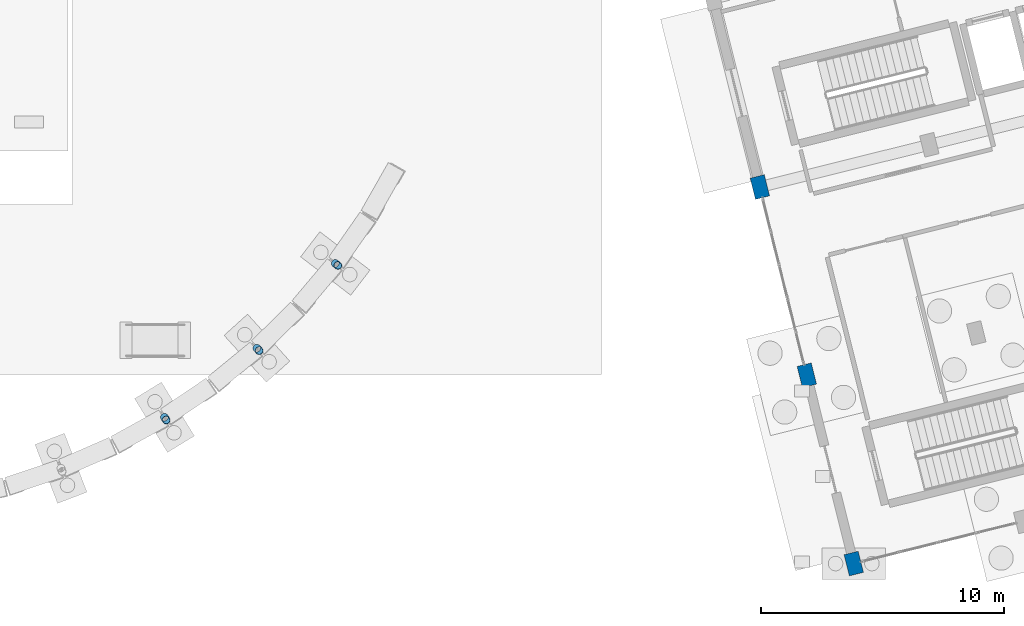
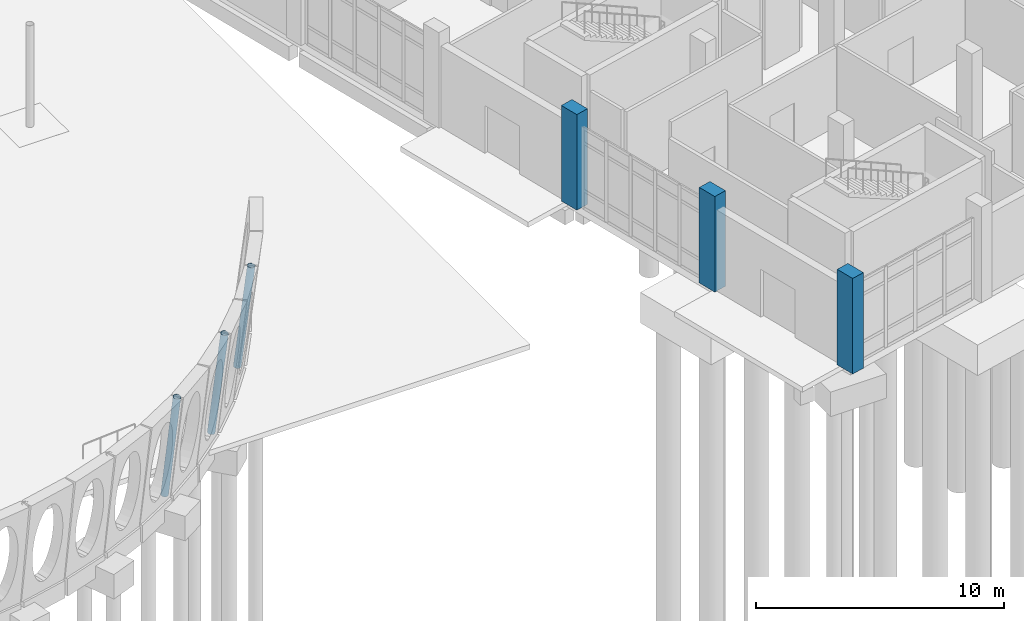
# One storey, part 13 of 173: 6 columns.
"""IFC4 building model written with IfcOpenShell, lengths in metres."""

from ifc_helpers import new_model, si_unit, direction, frame, origin, origin_2d, place, context, subcontext, project, spatial, rectangle, hollow_circle, extrude, material, material_profile, profile_set, type_object, element, save


model = new_model("IFC4")

# Units and contexts
model_context = context("Model", 3, precision=1e-05, world=origin(), true_north=direction((0.0, 1.0)))
body_context = subcontext(model_context, "Body", "Model", "MODEL_VIEW")
ifc_project = project(units=[si_unit("LENGTHUNIT", "METRE"), si_unit("AREAUNIT", "SQUARE_METRE"), si_unit("VOLUMEUNIT", "CUBIC_METRE"), si_unit("PLANEANGLEUNIT", "RADIAN"), si_unit("MASSUNIT", "GRAM", prefix="KILO")], contexts=[model_context])

# Site, building, storey
site_placement = place(None, origin())
site = spatial("IfcSite", under=ifc_project, at=site_placement, CompositionType="ELEMENT")
building_placement = place(site_placement, origin())
building = spatial("IfcBuilding", under=site, at=building_placement, Name="Mawjan Specialist Oncology Clinic", CompositionType="ELEMENT")
storey_placement = place(building_placement, origin())
storey = spatial("IfcBuildingStorey", under=building, at=storey_placement, Name="L00", CompositionType="ELEMENT", Elevation=0.0)

# Columns
ifc_material_1 = material(Name="Concrete C45/55", Category="concrete")
ifc_material_profile_1 = material_profile(ifc_material_1, rectangle(XDim=0.60009765625, YDim=0.89990234375, at=origin_2d()), Name="RC COL 600x900", Category="concrete")
ifc_profile_set_1 = profile_set([ifc_material_profile_1], Name="Concrete C45/55")
column_type_1 = type_object("IfcColumnType", Name="C-600x900", PredefinedType="COLUMN", material=ifc_profile_set_1)
for number, where, z_axis, x_axis, name in (
    (1, (126.0, 0.800048828125, 0.0), (0.0, 0.0, 1.0), (0.970295726276, 0.2419218956, 0.0), "L00 Column R-RA-R1"),
    (2, (124.064697265625, 8.562255859375, 0.0), (0.0, 0.0, 1.0), (0.970295726276, 0.2419218956, 0.0), "L00 Column R-RA-R2"),
    (3, (122.129150390625, 16.32470703125, 0.0), (0.0, 0.0, 1.0), (0.970295726276, 0.2419218956, 0.0), "L00 Column R-RA-R3"),
):
    element("IfcColumn", number, at=place(storey_placement, frame(where, z_axis=z_axis, x_axis=x_axis)), inside=storey, type_object=column_type_1, Name=name, PredefinedType="COLUMN", context=body_context, shape_type="SweptSolid", body=[
        extrude(rectangle(XDim=0.60009765625, YDim=0.89990234375, at=origin_2d()), origin(), (0.0, 0.0, 1.0), 4.699951171875),
    ])
ifc_material_2 = material(Name="Structural steel S355", Category="steel")
ifc_material_profile_2 = material_profile(ifc_material_2, hollow_circle(Radius=0.161865234375, WallThickness=0.011962890625, at=origin_2d()), Name="CHS 323.9x12", Category="steel")
ifc_profile_set_2 = profile_set([ifc_material_profile_2], Name="Structural steel S355")
column_type_2 = type_object("IfcColumnType", Name="SC-CHS324", PredefinedType="COLUMN", material=ifc_profile_set_2)
for number, where, z_axis, x_axis, name in (
    (4, (97.5849609375, 6.831298828125, 0.0), (0.059139058161, -0.096495149041, 0.99357498862), (0.852613573845, 0.522541954005, 0.0), "Stone-Arc Restraint Pier 9 L00"),
    (5, (101.3974609375, 9.67822265625, 0.0), (0.075730859915, -0.084123837984, 0.993573357503), (0.743208891911, 0.669059446525, 0.0), "Stone-Arc Restraint Pier 10 L00"),
    (6, (104.627197265625, 13.172119140625, 0.0), (0.089800106478, -0.068890411236, 0.993574381773), (0.608674483401, 0.793420048434, 0.0), "Stone-Arc Restraint Pier 11 L00"),
):
    element("IfcColumn", number, at=place(storey_placement, frame(where, z_axis=z_axis, x_axis=x_axis)), inside=storey, type_object=column_type_2, Name=name, PredefinedType="COLUMN", context=body_context, shape_type="SweptSolid", body=[
        extrude(hollow_circle(Radius=0.161865234375, WallThickness=0.011962890625, at=origin_2d()), origin(), (0.0, 0.0, 1.0), 5.0322265625),
    ])

save(model, "model.ifc")
